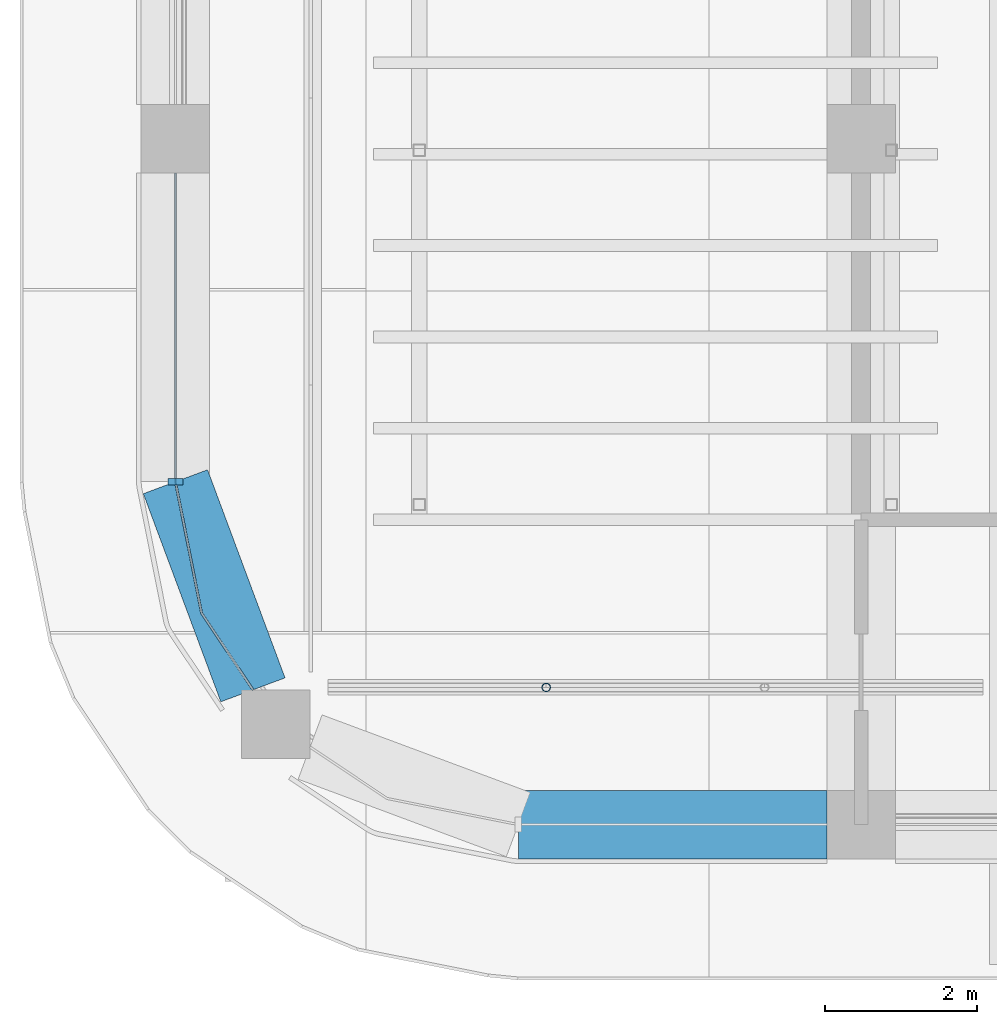
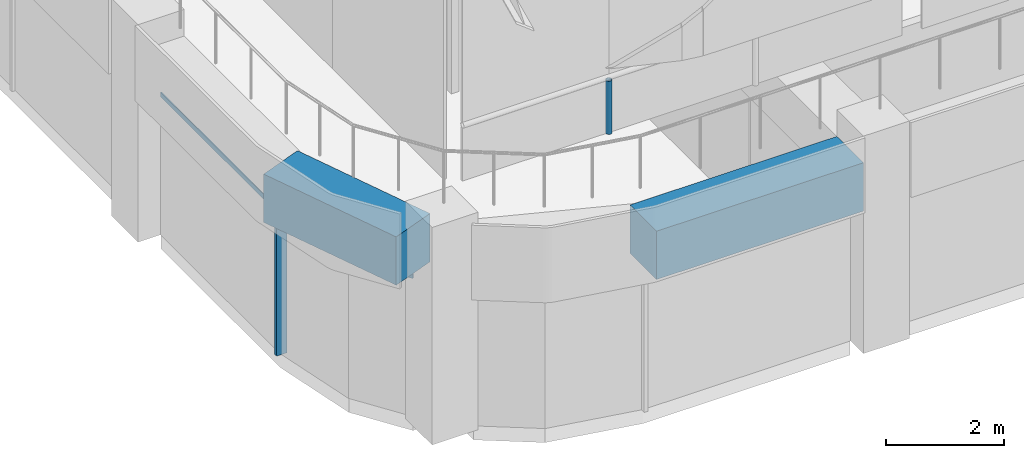
# One storey, part 5 of 31: 3 members, 2 beams, 1 element without a shape of its own.
"""IFC4 building model written with IfcOpenShell, lengths in metres."""

from ifc_helpers import new_model, si_unit, direction, frame, origin, origin_2d, place, context, subcontext, project, spatial, polyline, rectangle, hollow_circle, outline, extrude, material, material_profile, profile_set, type_object, element, aggregate, save


model = new_model("IFC4")

# Units and contexts
model_context = context("Model", 3, precision=1e-05, world=origin(), true_north=direction((0.0, 1.0)))
body_context = subcontext(model_context, "Body", "Model", "MODEL_VIEW")
ifc_project = project(units=[si_unit("LENGTHUNIT", "METRE"), si_unit("AREAUNIT", "SQUARE_METRE"), si_unit("VOLUMEUNIT", "CUBIC_METRE"), si_unit("PLANEANGLEUNIT", "RADIAN"), si_unit("MASSUNIT", "GRAM", prefix="KILO")], contexts=[model_context])

# Site, building, storey
site_placement = place(None, origin())
site = spatial("IfcSite", under=ifc_project, at=site_placement, CompositionType="ELEMENT")
building_placement = place(site_placement, origin())
building = spatial("IfcBuilding", under=site, at=building_placement, Name="Tessera Arch", CompositionType="ELEMENT")
storey_placement = place(building_placement, frame((0.0, 0.0, 320.699951171875)))
storey = spatial("IfcBuildingStorey", under=building, at=storey_placement, Name="L77", CompositionType="ELEMENT", Elevation=320.699951171875)

# Curtain wall, members
ifc_material_1 = material(Name="CW2 curtain wall")
curtain_wall_type = type_object("IfcCurtainWallType", Name="CW2 curtain wall", PredefinedType="NOTDEFINED", material=ifc_material_1)
curtain_wall_placement = place(storey_placement, origin())
curtain_wall = element("IfcCurtainWall", 1, at=curtain_wall_placement, inside=storey, type_object=curtain_wall_type, Name="CW2 curtain wall W18.27/2 L77", PredefinedType="NOTDEFINED")
ifc_material_2 = material(Name="Anodised aluminium pale metal", Category="aluminium")
ifc_material_profile_1 = material_profile(ifc_material_2, rectangle(XDim=0.199951171875, YDim=0.080078125, at=origin_2d()), Name="AL 80x200")
ifc_profile_set_1 = profile_set([ifc_material_profile_1], Name="Anodised aluminium pale metal")
member_type_1 = type_object("IfcMemberType", Name="CW2 mullion", PredefinedType="MULLION", material=ifc_profile_set_1)
member_1_placement = place(storey_placement, frame((18.0, 31.5, 0.0), z_axis=(0.0, 0.0, 1.0), x_axis=(1.0, 0.0, 0.0)))
member_1 = element("IfcMember", 2, at=member_1_placement, type_object=member_type_1, Name="CW2 mullion W18.27/2 1", PredefinedType="MULLION", context=body_context, shape_type="SweptSolid", body=[
    extrude(rectangle(XDim=0.199951171875, YDim=0.080078125, at=origin_2d()), origin(), (0.0, 0.0, 1.0), 2.85009765625),
])
ifc_material_3 = material(Name="Anodised aluminium pale metal", Category="aluminium")
ifc_material_profile_2 = material_profile(ifc_material_3, rectangle(XDim=0.199951171875, YDim=0.10009765625, at=origin_2d()), Name="AL 200x100")
ifc_profile_set_2 = profile_set([ifc_material_profile_2], Name="Anodised aluminium pale metal")
member_type_2 = type_object("IfcMemberType", Name="CW2 transom", PredefinedType="USERDEFINED", material=ifc_profile_set_2)
member_2_placement = place(storey_placement, frame((0.0, 0.0, 2.85009765625)))
member_2 = element("IfcMember", 3, at=member_2_placement, type_object=member_type_2, Name="CW2 transom W18.27/2 1", ObjectType="TRANSOM", PredefinedType="USERDEFINED", context=body_context, shape_type="SweptSolid", body=[
    extrude(outline(polyline([(18.010009765625, 31.5009765625), (18.010009765625, 35.550048828125), (17.989990234375, 35.550048828125), (17.989990234375, 31.4990234375), (18.3330078125, 29.77392578125), (19.009033203125, 28.762451171875), (19.025634765625, 28.7734375), (18.351806640625, 29.78173828125), (18.010009765625, 31.5009765625)])), origin(), (0.0, 0.0, 1.0), 0.099853515625),
])
aggregate(curtain_wall, [member_1, member_2])

# Member
ifc_material_4 = material(Name="Steel A500 Gr C", Category="steel")
ifc_material_profile_3 = material_profile(ifc_material_4, hollow_circle(Radius=0.056884765625, WallThickness=0.006103515625, at=origin_2d()), Name="Crown parapet post CHS114x6")
ifc_profile_set_3 = profile_set([ifc_material_profile_3], Name="Steel A500 Gr C")
member_type_3 = type_object("IfcMemberType", Name="Crown parapet post CHS114x6", PredefinedType="POST", material=ifc_profile_set_3)
member_3_placement = place(storey_placement, frame((22.86669921875, 28.800048828125, 4.5), z_axis=(0.0, 0.0, 1.0), x_axis=(1.0, 0.0, 0.0)))
element("IfcMember", 4, at=member_3_placement, inside=storey, type_object=member_type_3, Name="CROWN parapet post S1-1", PredefinedType="POST", context=body_context, shape_type="SweptSolid", body=[
    extrude(hollow_circle(Radius=0.056884765625, WallThickness=0.006103515625, at=origin_2d()), origin(), (0.0, 0.0, 1.0), 1.10009765625),
])

# Beams
ifc_material_5 = material(Name="Concrete C50/60", Category="concrete")
ifc_material_profile_4 = material_profile(ifc_material_5, rectangle(XDim=0.89990234375, YDim=1.0, at=origin_2d()), Name="RC spandrel beam 900 x 1000 Concrete C50/60")
ifc_profile_set_4 = profile_set([ifc_material_profile_4], Name="Concrete C50/60")
beam_type = type_object("IfcBeamType", Name="RC spandrel beam 900 x 1000 Concrete C50/60", PredefinedType="BEAM", material=ifc_profile_set_4)
beam_1_placement = place(storey_placement, frame((18.0, 31.5, 3.449951171875), z_axis=(0.348974916509, -0.937132065211, 0.0), x_axis=(0.937132065211, 0.348974916509, 0.0)))
element("IfcBeam", 5, at=beam_1_placement, inside=storey, type_object=beam_type, Name="Spandrel beam L77 W18.27/2.2", PredefinedType="BEAM", context=body_context, shape_type="SweptSolid", body=[
    extrude(rectangle(XDim=0.89990234375, YDim=1.0, at=origin_2d()), origin(), (0.0, 0.0, 1.0), 2.915283203125),
])
beam_2_placement = place(storey_placement, frame((22.5, 27.0, 3.449951171875), z_axis=(1.0, 0.0, 0.0), x_axis=(0.0, 1.0, 0.0)))
element("IfcBeam", 6, at=beam_2_placement, inside=storey, type_object=beam_type, Name="Spandrel beam L77 S27.18/0.2", PredefinedType="BEAM", context=body_context, shape_type="SweptSolid", body=[
    extrude(rectangle(XDim=0.89990234375, YDim=1.0, at=origin_2d()), origin(), (0.0, 0.0, 1.0), 4.050048828125),
])

save(model, "model.ifc")
